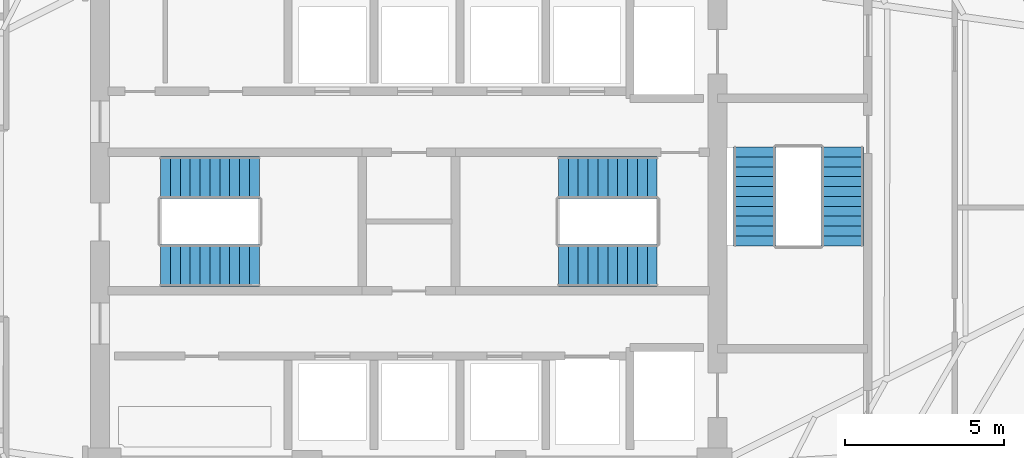
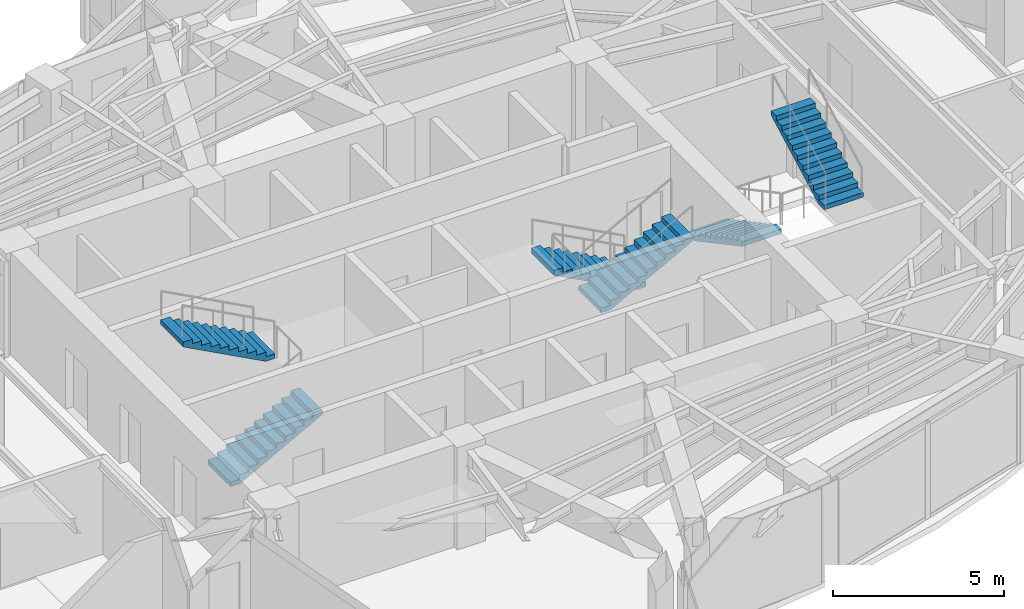
# One storey, part 18 of 20: 6 stair flights, 3 elements without a shape of their own.
"""IFC4 building model written with IfcOpenShell, lengths in metres."""

from ifc_helpers import new_model, si_unit, direction, frame, origin, place, context, subcontext, project, spatial, polyline, outline, extrude, material, type_object, element, aggregate, save


model = new_model("IFC4")

# Units and contexts
model_context = context("Model", 3, precision=1e-05, world=origin(), true_north=direction((0.0, 1.0)))
body_context = subcontext(model_context, "Body", "Model", "MODEL_VIEW")
ifc_project = project(units=[si_unit("LENGTHUNIT", "METRE"), si_unit("AREAUNIT", "SQUARE_METRE"), si_unit("VOLUMEUNIT", "CUBIC_METRE"), si_unit("PLANEANGLEUNIT", "RADIAN"), si_unit("MASSUNIT", "GRAM", prefix="KILO")], contexts=[model_context])

# Site, building, storey
site_placement = place(None, origin())
site = spatial("IfcSite", under=ifc_project, at=site_placement, CompositionType="ELEMENT")
building_placement = place(site_placement, origin())
building = spatial("IfcBuilding", under=site, at=building_placement, Name="Lazwardi Medical Tower", CompositionType="ELEMENT")
storey_placement = place(building_placement, frame((0.0, 0.0, 152.8798828125)))
storey = spatial("IfcBuildingStorey", under=building, at=storey_placement, Name="L39", CompositionType="ELEMENT", Elevation=152.8798828125)

# Stair, stair flights
ifc_material = material(Name="Concrete C45/55", Category="concrete")
stair_type = type_object("IfcStairType", Name="STR-WRD", PredefinedType="HALF_TURN_STAIR", material=ifc_material)
stair_1_placement = place(storey_placement, origin())
stair_1 = element("IfcStair", 1, at=stair_1_placement, inside=storey, type_object=stair_type, Name="L39 Protected Exit Stair ST1", PredefinedType="HALF_TURN_STAIR")
stair_flight_type = type_object("IfcStairFlightType", Name="FLT-WRD", PredefinedType="STRAIGHT", material=ifc_material)
stair_flight_1_placement = place(storey_placement, frame((28.199951171875, 26.679931640625, 0.0), z_axis=(0.0, 0.0, 1.0), x_axis=(1.0, 0.0, 0.0)))
stair_flight_1 = element("IfcStairFlight", 2, at=stair_flight_1_placement, type_object=stair_flight_type, Name="ST1 flight 1", NumberOfRisers=11, NumberOfTreads=10, PredefinedType="STRAIGHT", RiserHeight=0.165818182, TreadLength=0.31, context=body_context, shape_type="SweptSolid", body=[
    extrude(outline(polyline([(0.0, 0.0), (0.0, 0.165771484375), (0.31005859375, 0.165771484375), (0.31005859375, 0.33154296875), (0.6201171875, 0.33154296875), (0.6201171875, 0.49755859375), (0.929931640625, 0.49755859375), (0.929931640625, 0.663330078125), (1.239990234375, 0.663330078125), (1.239990234375, 0.8291015625), (1.550048828125, 0.8291015625), (1.550048828125, 0.994873046875), (1.860107421875, 0.994873046875), (1.860107421875, 1.16064453125), (2.169921875, 1.16064453125), (2.169921875, 1.32666015625), (2.47998046875, 1.32666015625), (2.47998046875, 1.492431640625), (2.7900390625, 1.492431640625), (2.7900390625, 1.658203125), (3.10009765625, 1.658203125), (3.10009765625, 1.823974609375), (3.10009765625, 1.48828125), (0.31787109375, 0.0), (0.0, 0.0)])), frame((0.0, 0.66015625, 0.0), z_axis=(0.0, -1.0, 0.0), x_axis=(1.0, 0.0, 0.0)), (0.0, 0.0, 1.0), 1.320068359375),
])
stair_flight_2_placement = place(storey_placement, frame((31.300048828125, 29.43994140625, 1.82421875), z_axis=(0.0, 0.0, 1.0), x_axis=(-1.0, 0.0, 0.0)))
stair_flight_2 = element("IfcStairFlight", 3, at=stair_flight_2_placement, type_object=stair_flight_type, Name="ST1 flight 2", NumberOfRisers=11, NumberOfTreads=10, PredefinedType="STRAIGHT", RiserHeight=0.165818182, TreadLength=0.31, context=body_context, shape_type="SweptSolid", body=[
    extrude(outline(polyline([(0.0, 0.0), (0.0, 0.165771484375), (0.31005859375, 0.165771484375), (0.31005859375, 0.33154296875), (0.6201171875, 0.33154296875), (0.6201171875, 0.49755859375), (0.929931640625, 0.49755859375), (0.929931640625, 0.663330078125), (1.239990234375, 0.663330078125), (1.239990234375, 0.8291015625), (1.550048828125, 0.8291015625), (1.550048828125, 0.994873046875), (1.860107421875, 0.994873046875), (1.860107421875, 1.16064453125), (2.169921875, 1.16064453125), (2.169921875, 1.32666015625), (2.47998046875, 1.32666015625), (2.47998046875, 1.492431640625), (2.7900390625, 1.492431640625), (2.7900390625, 1.658203125), (3.10009765625, 1.658203125), (3.10009765625, 1.823974609375), (3.10009765625, 1.48828125), (0.31787109375, 0.0), (0.0, 0.0)])), frame((0.0, 0.66015625, 0.0), z_axis=(0.0, -1.0, 0.0), x_axis=(1.0, 0.0, 0.0)), (0.0, 0.0, 1.0), 1.320068359375),
])
aggregate(stair_1, [stair_flight_1, stair_flight_2])

stair_2_placement = place(storey_placement, origin())
stair_2 = element("IfcStair", 4, at=stair_2_placement, inside=storey, type_object=stair_type, Name="L39 Protected Exit Stair ST2", PredefinedType="HALF_TURN_STAIR")
stair_flight_3_placement = place(storey_placement, frame((43.800048828125, 29.43994140625, 0.0), z_axis=(0.0, 0.0, 1.0), x_axis=(-1.0, 0.0, 0.0)))
stair_flight_3 = element("IfcStairFlight", 5, at=stair_flight_3_placement, type_object=stair_flight_type, Name="ST2 flight 1", NumberOfRisers=11, NumberOfTreads=10, PredefinedType="STRAIGHT", RiserHeight=0.165818182, TreadLength=0.31, context=body_context, shape_type="SweptSolid", body=[
    extrude(outline(polyline([(0.0, 0.0), (0.0, 0.165771484375), (0.31005859375, 0.165771484375), (0.31005859375, 0.33154296875), (0.6201171875, 0.33154296875), (0.6201171875, 0.49755859375), (0.929931640625, 0.49755859375), (0.929931640625, 0.663330078125), (1.239990234375, 0.663330078125), (1.239990234375, 0.8291015625), (1.550048828125, 0.8291015625), (1.550048828125, 0.994873046875), (1.860107421875, 0.994873046875), (1.860107421875, 1.16064453125), (2.169921875, 1.16064453125), (2.169921875, 1.32666015625), (2.47998046875, 1.32666015625), (2.47998046875, 1.492431640625), (2.7900390625, 1.492431640625), (2.7900390625, 1.658203125), (3.10009765625, 1.658203125), (3.10009765625, 1.823974609375), (3.10009765625, 1.48828125), (0.31787109375, 0.0), (0.0, 0.0)])), frame((0.0, 0.66015625, 0.0), z_axis=(0.0, -1.0, 0.0), x_axis=(1.0, 0.0, 0.0)), (0.0, 0.0, 1.0), 1.320068359375),
])
stair_flight_4_placement = place(storey_placement, frame((40.699951171875, 26.679931640625, 1.82421875), z_axis=(0.0, 0.0, 1.0), x_axis=(1.0, 0.0, 0.0)))
stair_flight_4 = element("IfcStairFlight", 6, at=stair_flight_4_placement, type_object=stair_flight_type, Name="ST2 flight 2", NumberOfRisers=11, NumberOfTreads=10, PredefinedType="STRAIGHT", RiserHeight=0.165818182, TreadLength=0.31, context=body_context, shape_type="SweptSolid", body=[
    extrude(outline(polyline([(0.0, 0.0), (0.0, 0.165771484375), (0.31005859375, 0.165771484375), (0.31005859375, 0.33154296875), (0.6201171875, 0.33154296875), (0.6201171875, 0.49755859375), (0.929931640625, 0.49755859375), (0.929931640625, 0.663330078125), (1.239990234375, 0.663330078125), (1.239990234375, 0.8291015625), (1.550048828125, 0.8291015625), (1.550048828125, 0.994873046875), (1.860107421875, 0.994873046875), (1.860107421875, 1.16064453125), (2.169921875, 1.16064453125), (2.169921875, 1.32666015625), (2.47998046875, 1.32666015625), (2.47998046875, 1.492431640625), (2.7900390625, 1.492431640625), (2.7900390625, 1.658203125), (3.10009765625, 1.658203125), (3.10009765625, 1.823974609375), (3.10009765625, 1.48828125), (0.31787109375, 0.0), (0.0, 0.0)])), frame((0.0, 0.66015625, 0.0), z_axis=(0.0, -1.0, 0.0), x_axis=(1.0, 0.0, 0.0)), (0.0, 0.0, 1.0), 1.320068359375),
])
aggregate(stair_2, [stair_flight_3, stair_flight_4])

stair_3_placement = place(storey_placement, origin())
stair_3 = element("IfcStair", 7, at=stair_3_placement, inside=storey, type_object=stair_type, Name="L39 Protected Exit Stair ST3", PredefinedType="HALF_TURN_STAIR")
stair_flight_5_placement = place(storey_placement, frame((46.860107421875, 30.39990234375, 0.0), z_axis=(0.0, 0.0, 1.0), x_axis=(0.0, -1.0, 0.0)))
stair_flight_5 = element("IfcStairFlight", 8, at=stair_flight_5_placement, type_object=stair_flight_type, Name="ST3 flight 1", NumberOfRisers=11, NumberOfTreads=10, PredefinedType="STRAIGHT", RiserHeight=0.165818182, TreadLength=0.31, context=body_context, shape_type="SweptSolid", body=[
    extrude(outline(polyline([(0.0, 0.0), (0.0, 0.165771484375), (0.31005859375, 0.165771484375), (0.31005859375, 0.33154296875), (0.6201171875, 0.33154296875), (0.6201171875, 0.49755859375), (0.929931640625, 0.49755859375), (0.929931640625, 0.663330078125), (1.239990234375, 0.663330078125), (1.239990234375, 0.8291015625), (1.550048828125, 0.8291015625), (1.550048828125, 0.994873046875), (1.860107421875, 0.994873046875), (1.860107421875, 1.16064453125), (2.169921875, 1.16064453125), (2.169921875, 1.32666015625), (2.47998046875, 1.32666015625), (2.47998046875, 1.492431640625), (2.7900390625, 1.492431640625), (2.7900390625, 1.658203125), (3.10009765625, 1.658203125), (3.10009765625, 1.823974609375), (3.10009765625, 1.48828125), (0.31787109375, 0.0), (0.0, 0.0)])), frame((0.0, 0.66015625, 0.0), z_axis=(0.0, -1.0, 0.0), x_axis=(1.0, 0.0, 0.0)), (0.0, 0.0, 1.0), 1.320068359375),
])
stair_flight_6_placement = place(storey_placement, frame((49.6201171875, 27.300048828125, 1.82421875), z_axis=(0.0, 0.0, 1.0), x_axis=(0.0, 1.0, 0.0)))
stair_flight_6 = element("IfcStairFlight", 9, at=stair_flight_6_placement, type_object=stair_flight_type, Name="ST3 flight 2", NumberOfRisers=11, NumberOfTreads=10, PredefinedType="STRAIGHT", RiserHeight=0.165818182, TreadLength=0.31, context=body_context, shape_type="SweptSolid", body=[
    extrude(outline(polyline([(0.0, 0.0), (0.0, 0.165771484375), (0.31005859375, 0.165771484375), (0.31005859375, 0.33154296875), (0.6201171875, 0.33154296875), (0.6201171875, 0.49755859375), (0.929931640625, 0.49755859375), (0.929931640625, 0.663330078125), (1.239990234375, 0.663330078125), (1.239990234375, 0.8291015625), (1.550048828125, 0.8291015625), (1.550048828125, 0.994873046875), (1.860107421875, 0.994873046875), (1.860107421875, 1.16064453125), (2.169921875, 1.16064453125), (2.169921875, 1.32666015625), (2.47998046875, 1.32666015625), (2.47998046875, 1.492431640625), (2.7900390625, 1.492431640625), (2.7900390625, 1.658203125), (3.10009765625, 1.658203125), (3.10009765625, 1.823974609375), (3.10009765625, 1.48828125), (0.31787109375, 0.0), (0.0, 0.0)])), frame((0.0, 0.66015625, 0.0), z_axis=(0.0, -1.0, 0.0), x_axis=(1.0, 0.0, 0.0)), (0.0, 0.0, 1.0), 1.320068359375),
])
aggregate(stair_3, [stair_flight_5, stair_flight_6])

save(model, "model.ifc")
